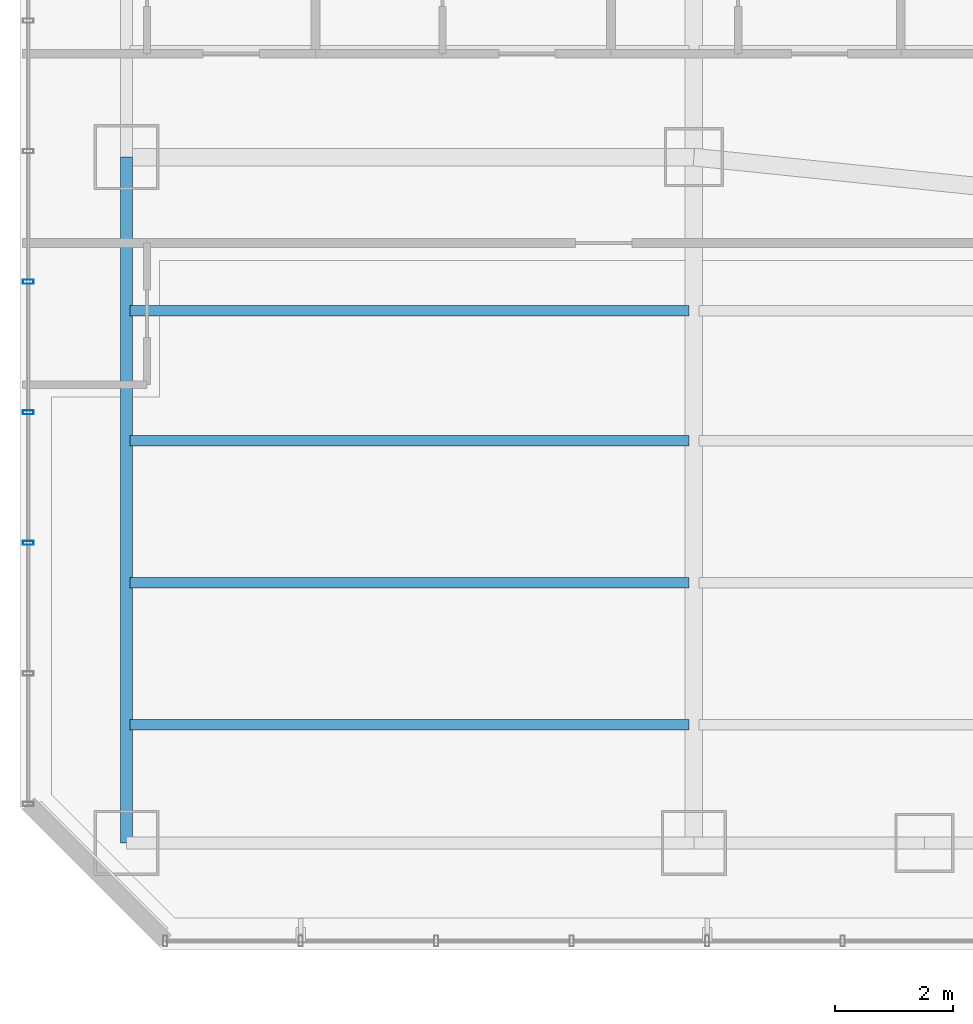
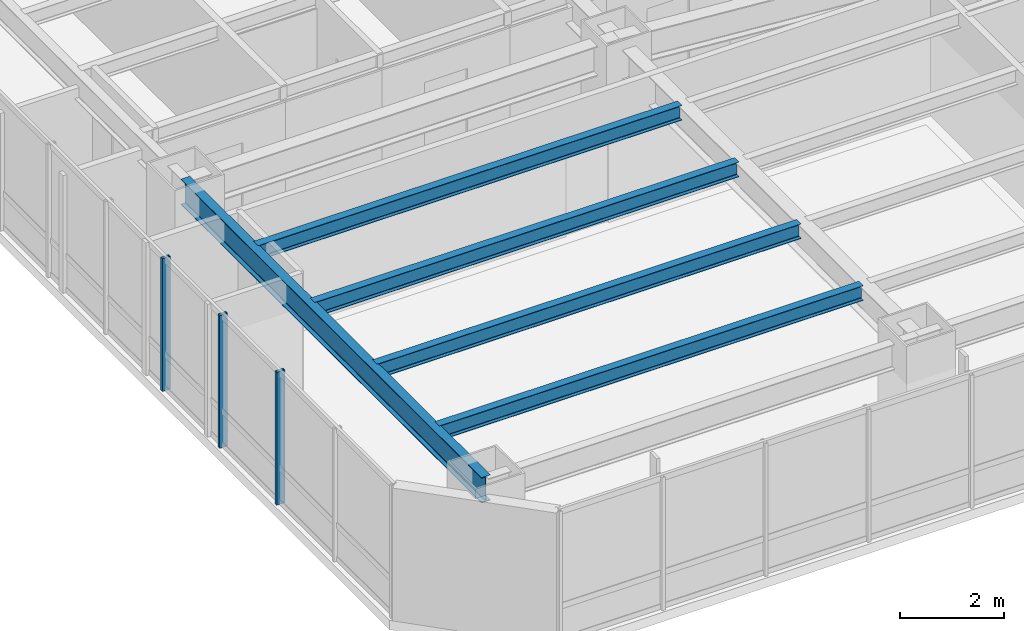
# One storey, part 5 of 33: 5 beams, 3 members, 1 element without a shape of its own.
"""IFC4 building model written with IfcOpenShell, lengths in metres."""

from ifc_helpers import new_model, si_unit, direction, frame, origin, origin_2d, place, context, subcontext, project, spatial, hollow_rectangle, i_section, extrude, material, layer, layer_set, material_profile, profile_set, type_object, element, aggregate, save


model = new_model("IFC4")

# Units and contexts
model_context = context("Model", 3, precision=1e-05, world=origin(), true_north=direction((0.0, 1.0)))
body_context = subcontext(model_context, "Body", "Model", "MODEL_VIEW")
ifc_project = project(units=[si_unit("LENGTHUNIT", "METRE"), si_unit("AREAUNIT", "SQUARE_METRE"), si_unit("VOLUMEUNIT", "CUBIC_METRE"), si_unit("PLANEANGLEUNIT", "RADIAN"), si_unit("MASSUNIT", "GRAM", prefix="KILO")], contexts=[model_context])

# Site, building, storey
site_placement = place(None, origin())
site = spatial("IfcSite", under=ifc_project, at=site_placement, CompositionType="ELEMENT")
building_placement = place(site_placement, origin())
building = spatial("IfcBuilding", under=site, at=building_placement, Name="Hatsunagi Terrace Concourse", CompositionType="ELEMENT")
storey_placement = place(building_placement, frame((0.0, 0.0, 56.699951171875)))
storey = spatial("IfcBuildingStorey", under=building, at=storey_placement, Name="L14", CompositionType="ELEMENT", Elevation=56.699951171875)

# Curtain wall, members
ifc_material_1 = material(Name="Anodised Aluminium Alloy 6063-T5", Category="aluminium")
ifc_layer = layer(ifc_material_1, 0.199951171875)
ifc_layer_set = layer_set([ifc_layer], Name="HotelFacade_CW02")
curtain_wall_type = type_object("IfcCurtainWallType", Name="HotelFacade_CW02", PredefinedType="NOTDEFINED", material=ifc_layer_set)
curtain_wall_placement = place(storey_placement, origin())
curtain_wall = element("IfcCurtainWall", 1, at=curtain_wall_placement, inside=storey, type_object=curtain_wall_type, Name="Unitised Curtain Wall CW-02 CW-L14-09", PredefinedType="NOTDEFINED")
ifc_material_2 = material(Name="Anodised Aluminium Alloy 6063-T5", Category="aluminium")
ifc_material_profile_1 = material_profile(ifc_material_2, hollow_rectangle(XDim=0.070068359375, YDim=0.179931640625, WallThickness=0.00390625, at=origin_2d()), Name="ALU-MUL-180x70x4")
ifc_profile_set_1 = profile_set([ifc_material_profile_1], Name="Anodised Aluminium Alloy 6063-T5")
member_type = type_object("IfcMemberType", Name="CurtainWallMullion_180x70", PredefinedType="MULLION", material=ifc_profile_set_1)
member_1_placement = place(storey_placement, frame((0.139892578125, 30.27490234375, 0.0), z_axis=(0.0, 0.0, 1.0), x_axis=(0.0, 1.0, 0.0)))
member_1 = element("IfcMember", 2, at=member_1_placement, type_object=member_type, Name="Curtain Wall Mullion MUL-02", PredefinedType="MULLION", context=body_context, shape_type="SweptSolid", body=[
    extrude(hollow_rectangle(XDim=0.070068359375, YDim=0.179931640625, WallThickness=0.00390625, at=origin_2d()), origin(), (0.0, 0.0, 1.0), 3.130126953125),
])
member_2_placement = place(storey_placement, frame((0.139892578125, 32.48291015625, 0.0), z_axis=(0.0, 0.0, 1.0), x_axis=(0.0, 1.0, 0.0)))
member_2 = element("IfcMember", 3, at=member_2_placement, type_object=member_type, Name="Curtain Wall Mullion MUL-02", PredefinedType="MULLION", context=body_context, shape_type="SweptSolid", body=[
    extrude(hollow_rectangle(XDim=0.070068359375, YDim=0.179931640625, WallThickness=0.00390625, at=origin_2d()), origin(), (0.0, 0.0, 1.0), 3.130126953125),
])
member_3_placement = place(storey_placement, frame((0.139892578125, 34.69189453125, 0.0), z_axis=(0.0, 0.0, 1.0), x_axis=(0.0, 1.0, 0.0)))
member_3 = element("IfcMember", 4, at=member_3_placement, type_object=member_type, Name="Curtain Wall Mullion MUL-02", PredefinedType="MULLION", context=body_context, shape_type="SweptSolid", body=[
    extrude(hollow_rectangle(XDim=0.070068359375, YDim=0.179931640625, WallThickness=0.00390625, at=origin_2d()), origin(), (0.0, 0.0, 1.0), 3.130126953125),
])
aggregate(curtain_wall, [member_1, member_2, member_3])

# Beams
ifc_material_3 = material(Name="Steel SN490B", Category="steel")
ifc_material_profile_2 = material_profile(ifc_material_3, i_section(OverallWidth=0.175048828125, OverallDepth=0.35009765625, WebThickness=0.007080078125, FlangeThickness=0.010986328125, FilletRadius=0.012939453125, at=origin_2d()), Name="H-350x175x7x11")
ifc_profile_set_2 = profile_set([ifc_material_profile_2], Name="Steel SN490B")
beam_type_1 = type_object("IfcBeamType", Name="HotelJoist_H_350x175", PredefinedType="JOIST", material=ifc_profile_set_2)
for number, where, z_axis, x_axis, name in (
    (5, (1.864990234375, 27.199951171875, 2.955078125), (1.0, 0.0, 0.0), (0.0, 1.0, 0.0), "Beam J-02 J-L14-W-1-272"),
    (6, (1.864990234375, 29.60009765625, 2.955078125), (1.0, 0.0, 0.0), (0.0, 1.0, 0.0), "Beam J-02 J-L14-W-1-296"),
    (7, (1.864990234375, 32.0, 2.955078125), (1.0, 0.0, 0.0), (0.0, 1.0, 0.0), "Beam J-02 J-L14-W-1-320"),
    (8, (1.864990234375, 34.199951171875, 2.955078125), (1.0, 0.0, 0.0), (0.0, 1.0, 0.0), "Beam J-02 J-L14-W-1-342"),
):
    element("IfcBeam", number, at=place(storey_placement, frame(where, z_axis=z_axis, x_axis=x_axis)), inside=storey, type_object=beam_type_1, Name=name, PredefinedType="JOIST", context=body_context, shape_type="SweptSolid", body=[
        extrude(i_section(OverallWidth=0.175048828125, OverallDepth=0.35009765625, WebThickness=0.007080078125, FlangeThickness=0.010986328125, FilletRadius=0.012939453125, at=origin_2d()), origin(), (0.0, 0.0, 1.0), 9.449951171875),
    ])
ifc_material_4 = material(Name="Steel SN490B", Category="steel")
ifc_material_profile_3 = material_profile(ifc_material_4, i_section(OverallWidth=0.199951171875, OverallDepth=0.60009765625, WebThickness=0.010986328125, FlangeThickness=0.01708984375, FilletRadius=0.01806640625, at=origin_2d()), Name="H-600x200x11x17")
ifc_profile_set_3 = profile_set([ifc_material_profile_3], Name="Steel SN490B")
beam_type_2 = type_object("IfcBeamType", Name="PerimeterSpandrel_H_600x200", PredefinedType="SPANDREL", material=ifc_profile_set_3)
beam_placement = place(storey_placement, frame((1.800048828125, 25.199951171875, 2.830078125), z_axis=(0.0, 1.0, 0.0), x_axis=(-1.0, 0.0, 0.0)))
element("IfcBeam", 9, at=beam_placement, inside=storey, type_object=beam_type_2, Name="Beam SP-01 BM-L14-NS-1-25", PredefinedType="SPANDREL", context=body_context, shape_type="SweptSolid", body=[
    extrude(i_section(OverallWidth=0.199951171875, OverallDepth=0.60009765625, WebThickness=0.010986328125, FlangeThickness=0.01708984375, FilletRadius=0.01806640625, at=origin_2d()), origin(), (0.0, 0.0, 1.0), 11.60009765625),
])

save(model, "model.ifc")
